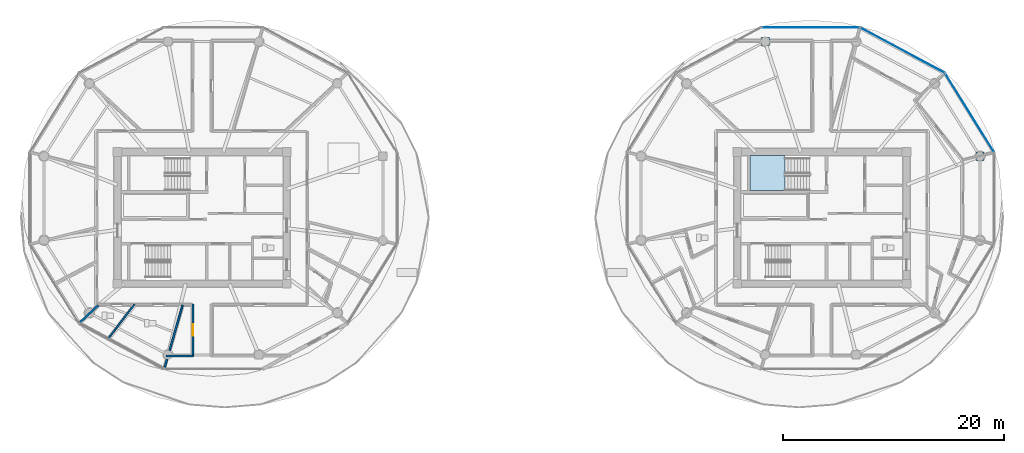
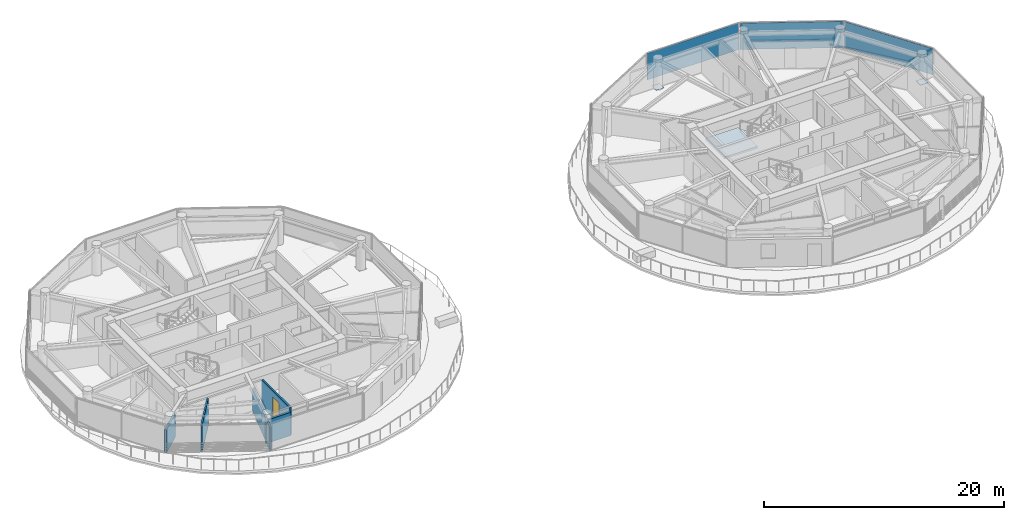
# One storey, part 12 of 28: 5 plates, 5 walls, 1 door, 1 slab, 1 opening, 4 elements without a shape of their own.
"""IFC4 building model written with IfcOpenShell, lengths in metres."""

from ifc_helpers import new_model, si_unit, direction, frame, frame_2d, origin, origin_2d, place, context, subcontext, project, spatial, polyline, rectangle, outline, extrude, source, transform, mapped, material, layer, layer_set, type_object, type_shapes, element, fill, aggregate, save


model = new_model("IFC4")

# Units and contexts
model_context = context("Model", 3, precision=1e-05, world=origin(), true_north=direction((0.0, 1.0)))
body_context = subcontext(model_context, "Body", "Model", "MODEL_VIEW")
ifc_project = project(units=[si_unit("LENGTHUNIT", "METRE"), si_unit("AREAUNIT", "SQUARE_METRE"), si_unit("VOLUMEUNIT", "CUBIC_METRE"), si_unit("PLANEANGLEUNIT", "RADIAN"), si_unit("MASSUNIT", "GRAM", prefix="KILO")], contexts=[model_context])

# Site, building, storey
site_placement = place(None, origin())
site = spatial("IfcSite", under=ifc_project, at=site_placement, CompositionType="ELEMENT")
building_placement = place(site_placement, origin())
building = spatial("IfcBuilding", under=site, at=building_placement, Name="Norrkilde Senior Care Towers", CompositionType="ELEMENT")
storey_placement = place(building_placement, frame((0.0, 0.0, 134.300048828125)))
storey = spatial("IfcBuildingStorey", under=building, at=storey_placement, Name="L41", CompositionType="ELEMENT", Elevation=134.300048828125)

# Stair, slab
ifc_material_1 = material(Name="Concrete C45/55", Category="concrete")
stair_type = type_object("IfcStairType", Name="Core Protected Dogleg Stair Typical 3050", PredefinedType="HALF_TURN_STAIR", material=ifc_material_1)
stair_placement = place(storey_placement, origin())
stair = element("IfcStair", 1, at=stair_placement, inside=storey, type_object=stair_type, Name="L41 Protected Core Stair E1", PredefinedType="HALF_TURN_STAIR")
ifc_layer_1 = layer(ifc_material_1, 0.199951171875)
ifc_layer_set_1 = layer_set([ifc_layer_1], Name="Concrete C45/55")
slab_type = type_object("IfcSlabType", Name="Stair Landing Slab 200", PredefinedType="LANDING", material=ifc_layer_set_1)
slab_placement = place(storey_placement, frame((0.0, 0.0, 1.324951171875)))
slab = element("IfcSlab", 2, at=slab_placement, type_object=slab_type, Name="ST-E1 landing 1", PredefinedType="LANDING", context=body_context, shape_type="SweptSolid", body=[
    extrude(outline(polyline([(24.659912109375, 5.639892578125), (21.5, 5.639892578125), (21.5, 2.449951171875), (24.659912109375, 2.449951171875), (24.659912109375, 5.639892578125)])), origin(), (0.0, 0.0, 1.0), 0.199951171875),
])
aggregate(stair, [slab])

# Plates
ifc_material_2 = material(Name="Steel S355", Category="steel")
ifc_layer_2 = layer(ifc_material_2, 0.030029296875)
ifc_layer_set_2 = layer_set([ifc_layer_2], Name="Steel S355")
plate_type_1 = type_object("IfcPlateType", Name="Column Splice Flange Plate 30", PredefinedType="USERDEFINED", material=ifc_layer_set_2)
shared_shape_1 = source(origin(), body_context, "Body", "SweptSolid", [
    extrude(rectangle(XDim=0.75, YDim=0.75, at=origin_2d()), origin(), (0.0, 0.0, 1.0), 0.030029296875),
])
type_shapes(plate_type_1, [shared_shape_1])
for number, where, z_axis, x_axis, name in (
    (3, (42.284912109375, 5.567138671875, 0.0), (0.0, 0.0, 1.0), (1.0, 0.0, 0.0), "L41 Column E-01 Splice Flange Plate"),
    (4, (22.872802734375, 15.92626953125, 0.0), (0.0, 0.0, 1.0), (1.0, 0.0, 0.0), "L41 Column E-04 Splice Flange Plate"),
):
    element("IfcPlate", number, at=place(storey_placement, frame(where, z_axis=z_axis, x_axis=x_axis)), inside=storey, type_object=plate_type_1, Name=name, ObjectType="FLANGE_PLATE", PredefinedType="USERDEFINED", context=body_context, shape_type="MappedRepresentation", body=[
        mapped(shared_shape_1, transform((0.0, 0.0, 0.0), x_axis=(1.0, 0.0, 0.0), y_axis=(0.0, 1.0, 0.0), z_axis=(0.0, 0.0, 1.0), scale=1.0)),
    ])

# Curtain wall, plate
ifc_material_3 = material(Name="Triple Low-E Insulated Glazing", Category="glass")
ifc_layer_3 = layer(ifc_material_3, 0.18994140625)
ifc_layer_set_3 = layer_set([ifc_layer_3], Name="Triple Low-E Insulated Glazing")
curtain_wall_type = type_object("IfcCurtainWallType", Name="CW4 Zone 3 Senior Residence Curtain Wall", PredefinedType="NOTDEFINED", material=ifc_layer_set_3)
curtain_wall_1_placement = place(storey_placement, origin())
curtain_wall_1 = element("IfcCurtainWall", 5, at=curtain_wall_1_placement, inside=storey, type_object=curtain_wall_type, Name="L41 Drum E Curtain Wall 00", PredefinedType="NOTDEFINED")
ifc_layer_4 = layer(ifc_material_3, 0.035888671875)
ifc_layer_set_4 = layer_set([ifc_layer_4], Name="Triple Low-E Insulated Glazing")
plate_type_2 = type_object("IfcPlateType", Name="Triple Low-E Vision Curtain Panel 36", PredefinedType="CURTAIN_PANEL", material=ifc_layer_set_4)
shared_shape_2 = source(origin(), body_context, "Body", "SweptSolid", [
    extrude(rectangle(XDim=8.301513671875, YDim=0.035888671875, at=origin_2d()), origin(), (0.0, 0.0, 1.0), 2.68994140625),
])
plate_1_placement = place(storey_placement, frame((41.346435546875, 9.4931640625, 0.06005859375), z_axis=(0.0, 0.0, 1.0), x_axis=(0.52737270789, -0.84963405474, 0.0)))
plate_1 = element("IfcPlate", 6, at=plate_1_placement, type_object=plate_type_2, Name="CW-4 panel 1.1", PredefinedType="CURTAIN_PANEL", context=body_context, shape_type="MappedRepresentation", body=[
    mapped(shared_shape_2, transform((0.0, 0.0, 0.0), x_axis=(1.0, 0.0, 0.0), y_axis=(0.0, 1.0, 0.0), z_axis=(0.0, 0.0, 1.0), scale=1.0)),
])
aggregate(curtain_wall_1, [plate_1])

curtain_wall_2_placement = place(storey_placement, origin())
curtain_wall_2 = element("IfcCurtainWall", 7, at=curtain_wall_2_placement, inside=storey, type_object=curtain_wall_type, Name="L41 Drum E Curtain Wall 01", PredefinedType="NOTDEFINED")
shared_shape_3 = source(origin(), body_context, "Body", "SweptSolid", [
    extrude(rectangle(XDim=8.61181640625, YDim=0.035888671875, at=origin_2d()), origin(), (0.0, 0.0, 1.0), 2.68994140625),
])
plate_2_placement = place(storey_placement, frame((35.272216796875, 15.142822265625, 0.06005859375), z_axis=(0.0, 0.0, 1.0), x_axis=(0.880999524059, -0.47311715104, 0.0)))
plate_2 = element("IfcPlate", 8, at=plate_2_placement, type_object=plate_type_2, Name="CW-4 panel 1.1", PredefinedType="CURTAIN_PANEL", context=body_context, shape_type="MappedRepresentation", body=[
    mapped(shared_shape_3, transform((0.0, 0.0, 0.0), x_axis=(1.0, 0.0, 0.0), y_axis=(0.0, 1.0, 0.0), z_axis=(0.0, 0.0, 1.0), scale=1.0)),
])
aggregate(curtain_wall_2, [plate_2])

curtain_wall_3_placement = place(storey_placement, origin())
curtain_wall_3 = element("IfcCurtainWall", 9, at=curtain_wall_3_placement, inside=storey, type_object=curtain_wall_type, Name="L41 Drum E Curtain Wall 02", PredefinedType="NOTDEFINED")
shared_shape_4 = source(origin(), body_context, "Body", "SweptSolid", [
    extrude(rectangle(XDim=8.762939453125, YDim=0.035888671875, at=origin_2d()), origin(), (0.0, 0.0, 1.0), 2.68994140625),
])
type_shapes(plate_type_2, [shared_shape_2, shared_shape_3, shared_shape_4])
plate_3_placement = place(storey_placement, frame((26.97509765625, 17.2109375, 0.06005859375), z_axis=(0.0, 0.0, 1.0), x_axis=(1.0, 0.0, 0.0)))
plate_3 = element("IfcPlate", 10, at=plate_3_placement, type_object=plate_type_2, Name="CW-4 panel 1.1", PredefinedType="CURTAIN_PANEL", context=body_context, shape_type="MappedRepresentation", body=[
    mapped(shared_shape_4, transform((0.0, 0.0, 0.0), x_axis=(1.0, 0.0, 0.0), y_axis=(0.0, 1.0, 0.0), z_axis=(0.0, 0.0, 1.0), scale=1.0)),
])
aggregate(curtain_wall_3, [plate_3])

# Wall
ifc_material_4 = material(Name="Gypsum Acoustic Board")
ifc_layer_5 = layer(ifc_material_4, 0.1650390625)
ifc_layer_set_5 = layer_set([ifc_layer_5], Name="Gypsum Acoustic Board")
wall_type_1 = type_object("IfcWallType", Name="Corridor Rated Partition 165", PredefinedType="PARTITIONING", material=ifc_layer_set_5)
shared_shape_5 = source(origin(), body_context, "Body", "SweptSolid", [
    extrude(rectangle(XDim=6.035400390625, YDim=0.1650390625, at=frame_2d((3.017578125, 0.0))), origin(), (0.0, 0.0, 1.0), 2.344970703125),
])
wall_1_placement = place(storey_placement, frame((-29.756103515625, -7.8798828125, 0.0), z_axis=(0.0, 0.0, 1.0), x_axis=(-0.276809454862, -0.960924828329, 0.0)))
element("IfcWall", 11, at=wall_1_placement, inside=storey, type_object=wall_type_1, Name="WL-INT-L41-W-DEM-08-0", PredefinedType="PARTITIONING", context=body_context, shape_type="MappedRepresentation", body=[
    mapped(shared_shape_5, transform((0.0, 0.0, 0.0), x_axis=(1.0, 0.0, 0.0), y_axis=(0.0, 1.0, 0.0), z_axis=(0.0, 0.0, 1.0), scale=1.0)),
])

# Wall, opening, door
shared_shape_6 = source(origin(), body_context, "Body", "SweptSolid", [
    extrude(rectangle(XDim=4.6845703125, YDim=0.1650390625, at=frame_2d((2.34228515625, 0.0))), origin(), (0.0, 0.0, 1.0), 2.794921875),
])
wall_2_placement = place(storey_placement, frame((-28.820068359375, -12.484619140625, 0.0), z_axis=(0.0, 0.0, 1.0), x_axis=(0.0, 1.0, 0.0)))
wall_2 = element("IfcWall", 12, at=wall_2_placement, inside=storey, type_object=wall_type_1, Name="WL-INT-L41-W-PKW-SWL", PredefinedType="PARTITIONING", context=body_context, shape_type="MappedRepresentation", body=[
    mapped(shared_shape_6, transform((0.0, 0.0, 0.0), x_axis=(1.0, 0.0, 0.0), y_axis=(0.0, 1.0, 0.0), z_axis=(0.0, 0.0, 1.0), scale=1.0)),
])
opening_placement = place(wall_2_placement, frame((1.8173828125, 0.0, 0.0)))
opening = element("IfcOpeningElement", 13, at=opening_placement, cuts=wall_2, Name="Opening D-06", PredefinedType="OPENING", context=body_context, shape_type="SweptSolid", body=[
    extrude(rectangle(XDim=1.050048828125, YDim=2.14990234375, at=frame_2d((0.52490234375, 1.074951171875))), frame((0.0, 0.092529296875, 0.0), z_axis=(0.0, -1.0, 0.0), x_axis=(1.0, 0.0, 0.0)), (0.0, 0.0, 1.0), 0.18505859375),
])
ifc_material_5 = material(Name="Nordic Ash Timber", Category="wood")
door_type = type_object("IfcDoorType", Name="Apartment Entrance Fire Door 1050x2150", OperationType="NOTDEFINED", PredefinedType="DOOR", material=ifc_material_5)
shared_shape_7 = source(origin(), body_context, "Body", "SweptSolid", [
    extrude(rectangle(XDim=1.050048828125, YDim=2.14990234375, at=frame_2d((0.52490234375, 1.074951171875))), frame((0.0, 0.02490234375, 0.0), z_axis=(0.0, -1.0, 0.0), x_axis=(1.0, 0.0, 0.0)), (0.0, 0.0, 1.0), 0.050048828125),
])
type_shapes(door_type, [shared_shape_7])
door_placement = place(opening_placement, frame((1.050048828125, 0.0, 0.0), z_axis=(0.0, 0.0, 1.0), x_axis=(-1.0, 0.0, 0.0)))
door = element("IfcDoor", 14, at=door_placement, inside=storey, type_object=door_type, Name="L41 Reading Lounge SWL Door", OperationType="SINGLE_SWING_RIGHT", OverallHeight=2.14990234375, OverallWidth=1.050048828125, PredefinedType="DOOR", context=body_context, shape_type="MappedRepresentation", body=[
    mapped(shared_shape_7, transform((0.0, 0.0, 0.0), x_axis=(1.0, 0.0, 0.0), y_axis=(0.0, 1.0, 0.0), z_axis=(0.0, 0.0, 1.0), scale=1.0)),
])
fill(opening, door)

# Walls
shared_shape_8 = source(origin(), body_context, "Body", "SweptSolid", [
    extrude(rectangle(XDim=2.418701171875, YDim=0.1650390625, at=frame_2d((1.20947265625, 0.0))), origin(), (0.0, 0.0, 1.0), 2.344970703125),
])
type_shapes(wall_type_1, [shared_shape_5, shared_shape_6, shared_shape_8])
wall_3_placement = place(storey_placement, frame((-31.23876953125, -12.484619140625, 0.0), z_axis=(0.0, 0.0, 1.0), x_axis=(1.0, 0.0, 0.0)))
element("IfcWall", 15, at=wall_3_placement, inside=storey, type_object=wall_type_1, Name="WL-INT-L41-W-PKH-SWL-0", PredefinedType="PARTITIONING", context=body_context, shape_type="MappedRepresentation", body=[
    mapped(shared_shape_8, transform((0.0, 0.0, 0.0), x_axis=(1.0, 0.0, 0.0), y_axis=(0.0, 1.0, 0.0), z_axis=(0.0, 0.0, 1.0), scale=1.0)),
])
ifc_layer_6 = layer(ifc_material_4, 0.18994140625)
ifc_layer_set_6 = layer_set([ifc_layer_6], Name="Gypsum Acoustic Board")
wall_type_2 = type_object("IfcWallType", Name="Unit Demising Acoustic Wall 190", PredefinedType="PARTITIONING", material=ifc_layer_set_6)
shared_shape_9 = source(origin(), body_context, "Body", "SweptSolid", [
    extrude(rectangle(XDim=2.434814453125, YDim=0.18994140625, at=frame_2d((1.21728515625, 0.0))), origin(), (0.0, 0.0, 1.0), 2.344970703125),
])
type_shapes(wall_type_2, [shared_shape_9])
wall_4_placement = place(storey_placement, frame((-37.3544921875, -7.8798828125, 0.0), z_axis=(0.0, 0.0, 1.0), x_axis=(-0.732164643118, -0.681127693878, 0.0)))
element("IfcWall", 16, at=wall_4_placement, inside=storey, type_object=wall_type_2, Name="WL-INT-L41-W-DEM-07-0", PredefinedType="PARTITIONING", context=body_context, shape_type="MappedRepresentation", body=[
    mapped(shared_shape_9, transform((0.0, 0.0, 0.0), x_axis=(1.0, 0.0, 0.0), y_axis=(0.0, 1.0, 0.0), z_axis=(0.0, 0.0, 1.0), scale=1.0)),
])
ifc_layer_7 = layer(ifc_material_4, 0.139892578125)
ifc_layer_set_7 = layer_set([ifc_layer_7], Name="Gypsum Acoustic Board")
wall_type_3 = type_object("IfcWallType", Name="En-suite Wet Room Wall 140", PredefinedType="PARTITIONING", material=ifc_layer_set_7)
shared_shape_10 = source(origin(), body_context, "Body", "SweptSolid", [
    extrude(rectangle(XDim=3.9365234375, YDim=0.139892578125, at=frame_2d((1.96826171875, 0.0))), origin(), (0.0, 0.0, 1.0), 2.794921875),
])
type_shapes(wall_type_3, [shared_shape_10])
wall_5_placement = place(storey_placement, frame((-34.1103515625, -7.830078125, 0.0), z_axis=(0.0, 0.0, 1.0), x_axis=(-0.611016723561, -0.791617687731, 0.0)))
element("IfcWall", 17, at=wall_5_placement, inside=storey, type_object=wall_type_3, Name="WL-INT-L41-W-MID-07", PredefinedType="PARTITIONING", context=body_context, shape_type="MappedRepresentation", body=[
    mapped(shared_shape_10, transform((0.0, 0.0, 0.0), x_axis=(1.0, 0.0, 0.0), y_axis=(0.0, 1.0, 0.0), z_axis=(0.0, 0.0, 1.0), scale=1.0)),
])

save(model, "model.ifc")
